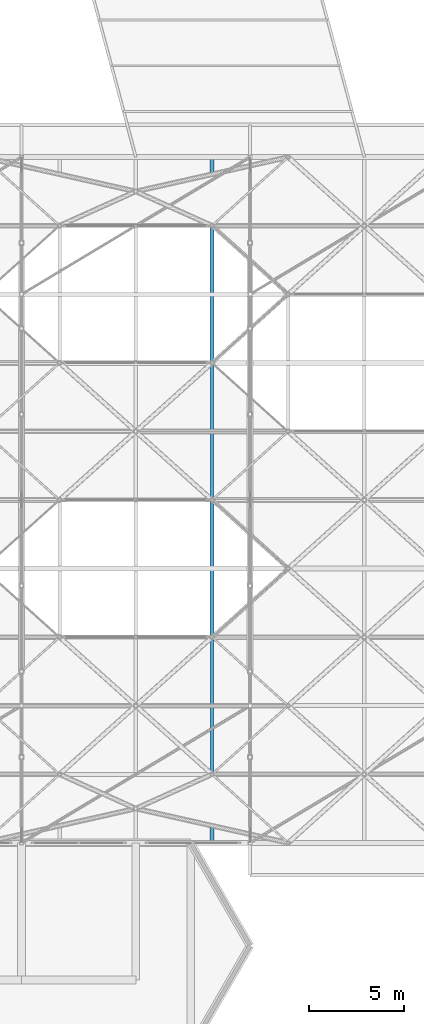
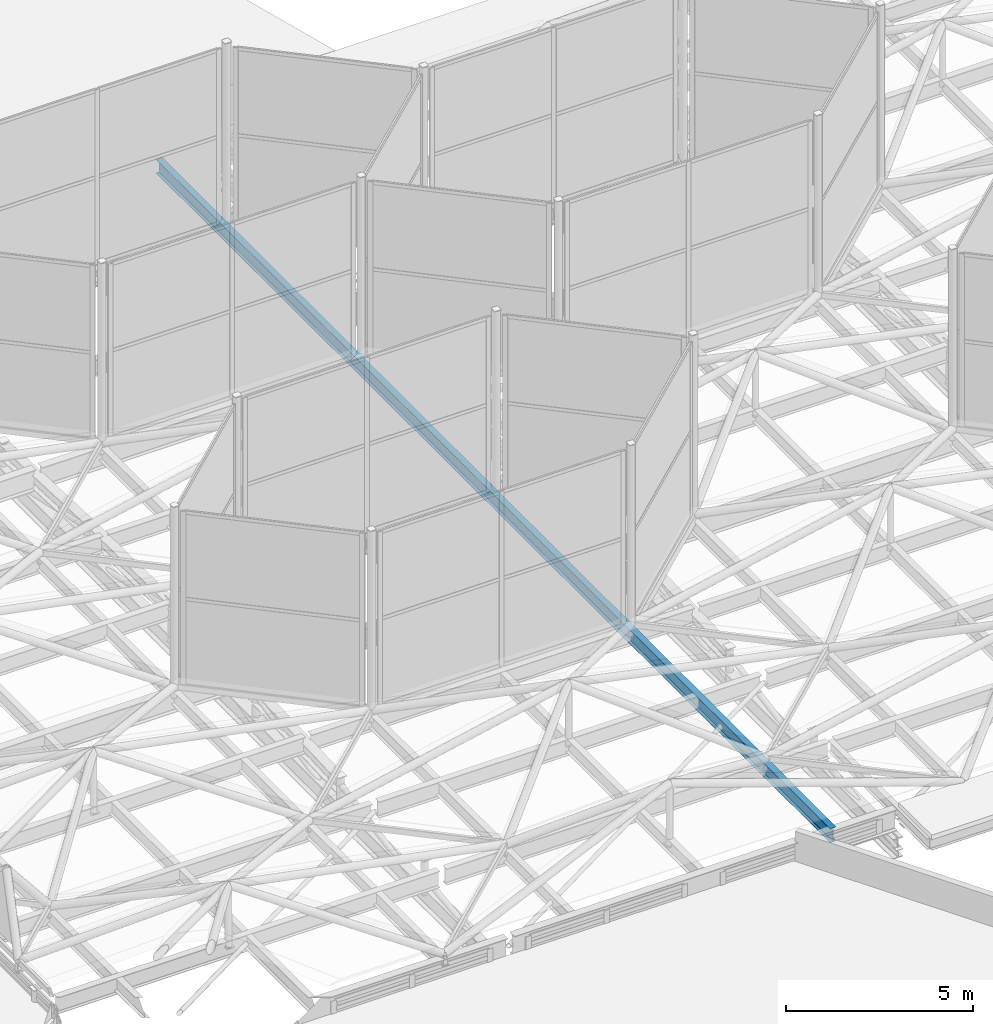
# One storey, part 77 of 239: 1 beam.
"""IFC4 building model written with IfcOpenShell, lengths in metres."""

from ifc_helpers import new_model, si_unit, direction, frame, origin, origin_2d, place, context, subcontext, project, spatial, i_section, extrude, material, material_profile, profile_set, type_object, element, save


model = new_model("IFC4")

# Units and contexts
model_context = context("Model", 3, precision=1e-05, world=origin(), true_north=direction((0.0, 1.0)))
body_context = subcontext(model_context, "Body", "Model", "MODEL_VIEW")
ifc_project = project(units=[si_unit("LENGTHUNIT", "METRE"), si_unit("AREAUNIT", "SQUARE_METRE"), si_unit("VOLUMEUNIT", "CUBIC_METRE"), si_unit("PLANEANGLEUNIT", "RADIAN"), si_unit("MASSUNIT", "GRAM", prefix="KILO")], contexts=[model_context])

# Site, building, storey
site_placement = place(None, origin())
site = spatial("IfcSite", under=ifc_project, at=site_placement, CompositionType="ELEMENT")
building_placement = place(site_placement, origin())
building = spatial("IfcBuilding", under=site, at=building_placement, Name="Dunvalen Ferry Terminal", CompositionType="ELEMENT")
storey_placement = place(building_placement, frame((0.0, 0.0, 9.840087890625)))
storey = spatial("IfcBuildingStorey", under=building, at=storey_placement, Name="L02", CompositionType="ELEMENT", Elevation=9.840087890625)

# Beam
ifc_material = material(Name="Steel S355", Category="steel")
ifc_material_profile = material_profile(ifc_material, i_section(OverallWidth=0.1904296875, OverallDepth=0.45703125, WebThickness=0.009033203125, FlangeThickness=0.014404296875, FilletRadius=0.01025390625, at=origin_2d()), Name="Steel S355")
ifc_profile_set = profile_set([ifc_material_profile], Name="Steel S355")
beam_type = type_object("IfcBeamType", Name="STR-BM-UKB457", PredefinedType="BEAM", material=ifc_profile_set)
beam_placement = place(storey_placement, frame((34.0, 50.39990234375, 0.771484375), z_axis=(0.0, 1.0, 0.0), x_axis=(-1.0, 0.0, 0.0)))
element("IfcBeam", 1, at=beam_placement, inside=storey, type_object=beam_type, Name="Departure Hall Hex-Grid Cross Beam B2.3", PredefinedType="BEAM", context=body_context, shape_type="SweptSolid", body=[
    extrude(i_section(OverallWidth=0.1904296875, OverallDepth=0.45703125, WebThickness=0.009033203125, FlangeThickness=0.014404296875, FilletRadius=0.01025390625, at=origin_2d()), origin(), (0.0, 0.0, 1.0), 36.0),
])

save(model, "model.ifc")
